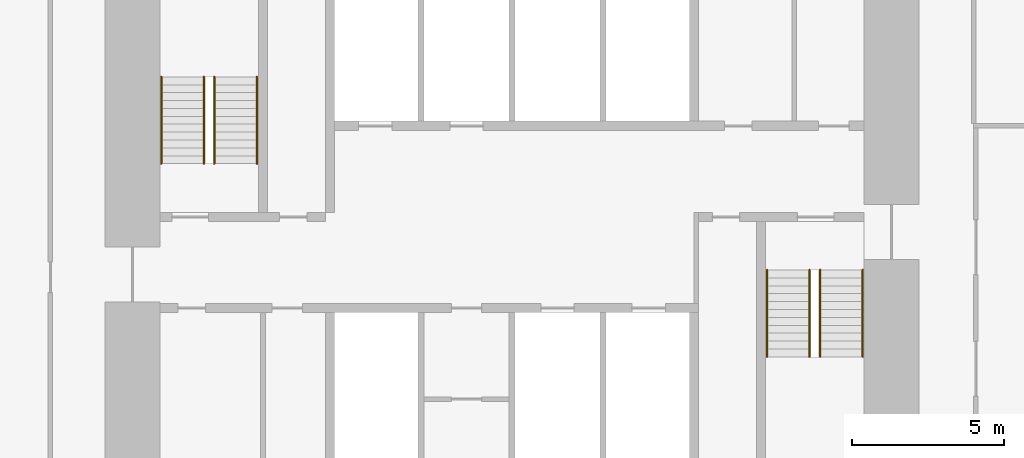
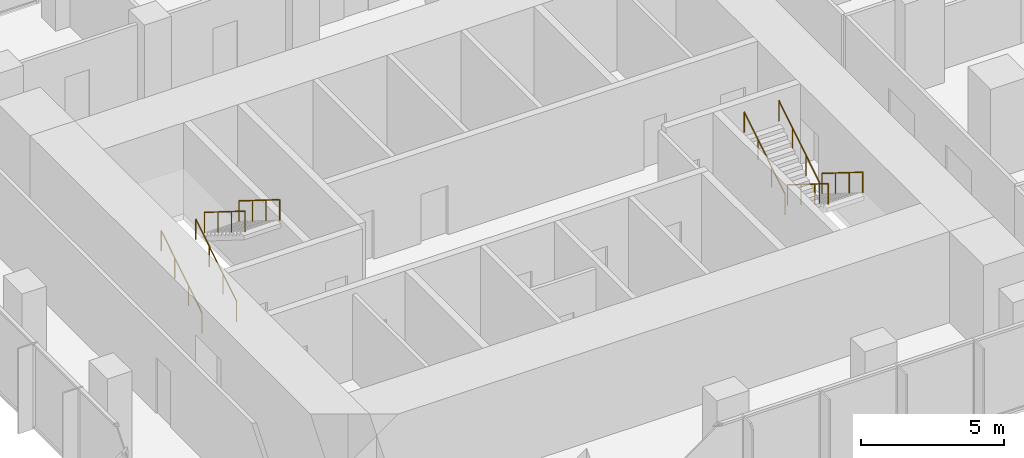
# One storey, part 10 of 10: 8 railings.
"""IFC4 building model written with IfcOpenShell, lengths in metres."""

from ifc_helpers import new_model, si_unit, direction, frame, origin, origin_2d, place, context, subcontext, project, spatial, circle, extrude, material, type_object, element, save


model = new_model("IFC4")

# Units and contexts
model_context = context("Model", 3, precision=1e-05, world=origin(), true_north=direction((0.0, 1.0)))
body_context = subcontext(model_context, "Body", "Model", "MODEL_VIEW")
ifc_project = project(units=[si_unit("LENGTHUNIT", "METRE"), si_unit("AREAUNIT", "SQUARE_METRE"), si_unit("VOLUMEUNIT", "CUBIC_METRE"), si_unit("PLANEANGLEUNIT", "RADIAN"), si_unit("MASSUNIT", "GRAM", prefix="KILO")], contexts=[model_context])

# Site, building, storey
site_placement = place(None, origin())
site = spatial("IfcSite", under=ifc_project, at=site_placement, CompositionType="ELEMENT")
building_placement = place(site_placement, origin())
building = spatial("IfcBuilding", under=site, at=building_placement, Name="Highveld Stack Headquarters", CompositionType="ELEMENT")
storey_placement = place(building_placement, frame((0.0, 0.0, 245.0)))
storey = spatial("IfcBuildingStorey", under=building, at=storey_placement, Name="L60", CompositionType="ELEMENT", Elevation=245.0)

# Railings
ifc_material = material(Name="Stainless steel handrail", Category="steel")
railing_type = type_object("IfcRailingType", Name="STAIR HANDRAIL HR1 900", PredefinedType="HANDRAIL", material=ifc_material)
for number, where, name in (
    (1, (-5.550048828125, 4.75, 0.16259765625), "Handrail S1 L60 flight 1"),
    (2, (-4.14990234375, 4.75, 0.16259765625), "Handrail S1 L60 flight 1"),
):
    element("IfcRailing", number, at=place(storey_placement, frame(where)), inside=storey, type_object=railing_type, Name=name, PredefinedType="HANDRAIL", context=body_context, shape_type="SweptSolid", body=[
        extrude(circle(Radius=0.02392578125, at=origin_2d()), frame((0.0, 0.0, 0.8759765625), z_axis=(0.0, 0.848026770018, 0.529953391661), x_axis=(-1.0, 0.0, 0.0)), (0.0, 0.0, 1.0), 3.37255859375),
        extrude(circle(Radius=0.02099609375, at=origin_2d()), origin(), (0.0, 0.0, 1.0), 0.851806640625),
        extrude(circle(Radius=0.02099609375, at=origin_2d()), frame((0.0, 0.953369140625, 0.595703125)), (0.0, 0.0, 1.0), 0.851806640625),
        extrude(circle(Radius=0.02099609375, at=origin_2d()), frame((0.0, 1.90673828125, 1.191650390625)), (0.0, 0.0, 1.0), 0.851806640625),
        extrude(circle(Radius=0.02099609375, at=origin_2d()), frame((0.0, 2.860107421875, 1.787353515625)), (0.0, 0.0, 1.0), 0.851806640625),
    ])
for number, where, name in (
    (3, (-3.800048828125, 7.610107421875, 2.112548828125), "Handrail S1 L60 flight 2"),
    (4, (-2.39990234375, 7.610107421875, 2.112548828125), "Handrail S1 L60 flight 2"),
    (5, (16.14990234375, 1.25, 0.16259765625), "Handrail S2 L60 flight 1"),
    (6, (17.550048828125, 1.25, 0.16259765625), "Handrail S2 L60 flight 1"),
):
    element("IfcRailing", number, at=place(storey_placement, frame(where)), inside=storey, type_object=railing_type, Name=name, PredefinedType="HANDRAIL", context=body_context, shape_type="SweptSolid", body=[
        extrude(circle(Radius=0.02392578125, at=origin_2d()), frame((0.0, 0.0, 0.8759765625), z_axis=(0.0, -0.848026770018, 0.529953391661), x_axis=(1.0, 0.0, 0.0)), (0.0, 0.0, 1.0), 3.37255859375),
        extrude(circle(Radius=0.02099609375, at=origin_2d()), origin(), (0.0, 0.0, 1.0), 0.851806640625),
        extrude(circle(Radius=0.02099609375, at=origin_2d()), frame((0.0, -0.953369140625, 0.595703125)), (0.0, 0.0, 1.0), 0.851806640625),
        extrude(circle(Radius=0.02099609375, at=origin_2d()), frame((0.0, -1.90673828125, 1.191650390625)), (0.0, 0.0, 1.0), 0.851806640625),
        extrude(circle(Radius=0.02099609375, at=origin_2d()), frame((0.0, -2.860107421875, 1.787353515625)), (0.0, 0.0, 1.0), 0.851806640625),
    ])
for number, where, name in (
    (7, (14.39990234375, -1.610107421875, 2.112548828125), "Handrail S2 L60 flight 2"),
    (8, (15.800048828125, -1.610107421875, 2.112548828125), "Handrail S2 L60 flight 2"),
):
    element("IfcRailing", number, at=place(storey_placement, frame(where)), inside=storey, type_object=railing_type, Name=name, PredefinedType="HANDRAIL", context=body_context, shape_type="SweptSolid", body=[
        extrude(circle(Radius=0.02392578125, at=origin_2d()), frame((0.0, 0.0, 0.8759765625), z_axis=(0.0, 0.848026770018, 0.529953391661), x_axis=(-1.0, 0.0, 0.0)), (0.0, 0.0, 1.0), 3.37255859375),
        extrude(circle(Radius=0.02099609375, at=origin_2d()), origin(), (0.0, 0.0, 1.0), 0.851806640625),
        extrude(circle(Radius=0.02099609375, at=origin_2d()), frame((0.0, 0.953369140625, 0.595703125)), (0.0, 0.0, 1.0), 0.851806640625),
        extrude(circle(Radius=0.02099609375, at=origin_2d()), frame((0.0, 1.90673828125, 1.191650390625)), (0.0, 0.0, 1.0), 0.851806640625),
        extrude(circle(Radius=0.02099609375, at=origin_2d()), frame((0.0, 2.860107421875, 1.787353515625)), (0.0, 0.0, 1.0), 0.851806640625),
    ])

save(model, "model.ifc")
